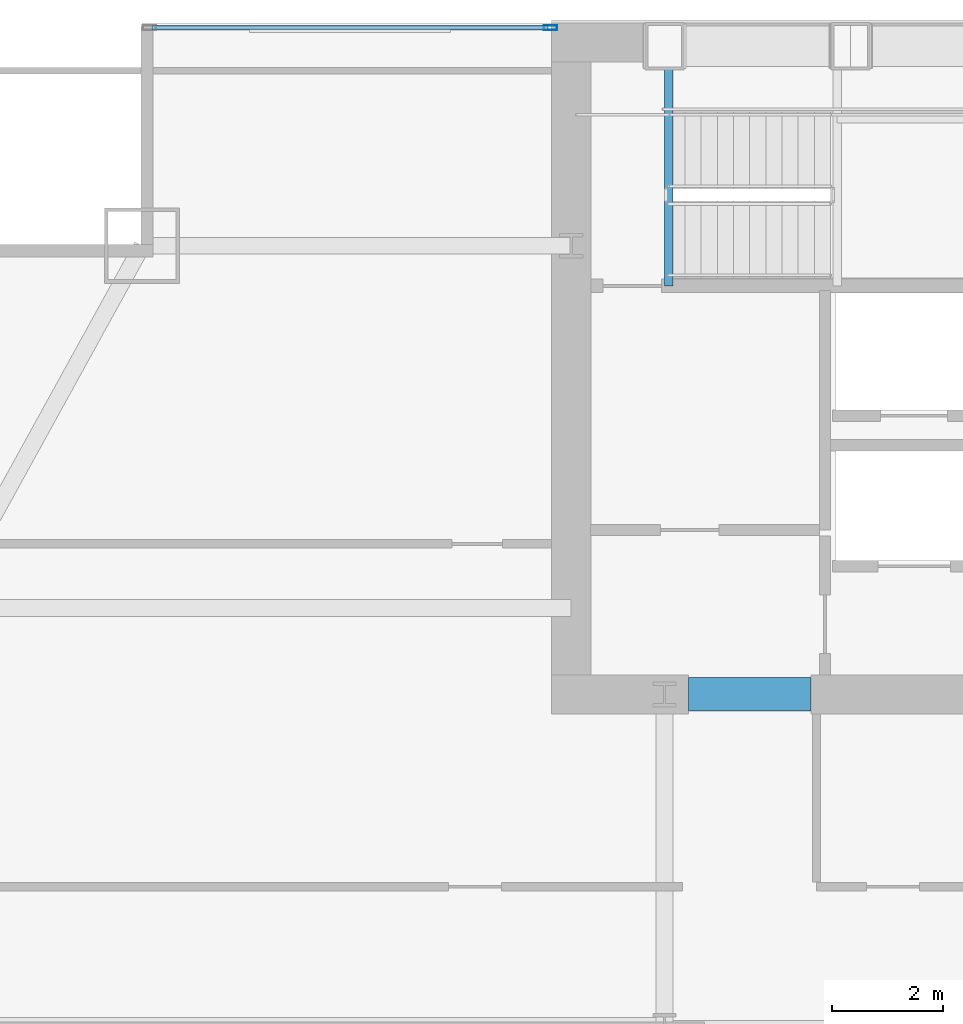
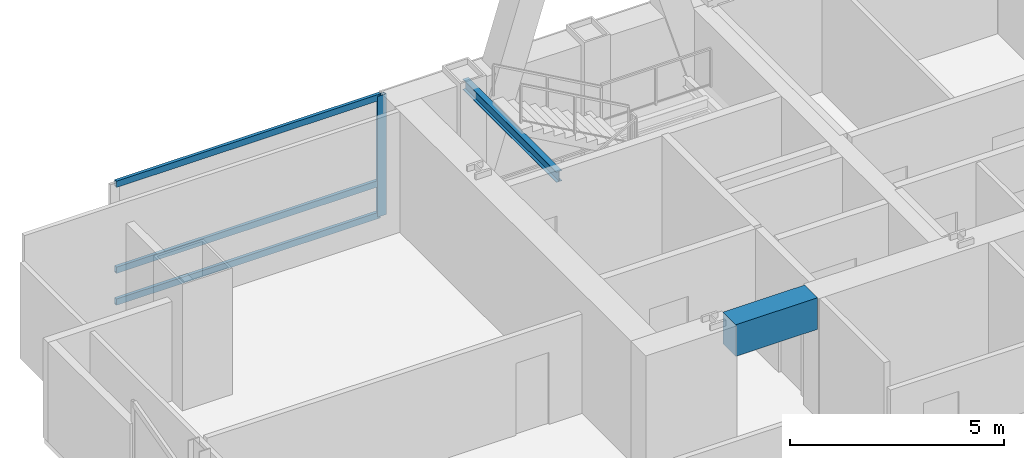
# One storey, part 18 of 30: 4 members, 2 beams, 1 element without a shape of its own.
"""IFC4 building model written with IfcOpenShell, lengths in metres."""

import ifcopenshell
import ifcopenshell.guid

model = None  # the IFC model being written
_history = None  # IfcOwnerHistory: only IFC2X3 demands one
_inside = {}  # id of a spatial element -> (the spatial element, [elements in it])
_under = {}  # id of a project, library or spatial element -> (it, [spatial elements below it])
_declared = {}  # id of a project -> (the project, [libraries it declares])
_typed = {}  # id of a type object -> (the type object, [elements of that type])
_made_of = {}  # id of a material, layer set ... -> (it, [elements and type objects made of it])


def new_model(schema):
    """Start an empty IFC model of exactly this schema.

    Asked for "IFC4X3", IfcOpenShell would pick the latest addendum, in which some entities
    have other attributes; the version numbers below select the first issue.
    IFC2X3 requires an IfcOwnerHistory on every rooted entity: one is made here for all.
    """
    global model, _history
    if schema == "IFC4X3":
        model = ifcopenshell.file(schema_version=(4, 3, 0, 0))
    else:
        model = ifcopenshell.file(schema=schema)
    _inside.clear()
    _under.clear()
    _declared.clear()
    _typed.clear()
    _made_of.clear()
    _history = None
    if model.schema == "IFC2X3":
        org = make("IfcOrganization", Name="unknown")
        user = make(
            "IfcPersonAndOrganization",
            ThePerson=make("IfcPerson", FamilyName="unknown"),
            TheOrganization=org,
        )
        app = make(
            "IfcApplication",
            ApplicationDeveloper=org,
            Version="unknown",
            ApplicationFullName="unknown",
            ApplicationIdentifier="unknown",
        )
        _history = make(
            "IfcOwnerHistory",
            OwningUser=user,
            OwningApplication=app,
            ChangeAction="ADDED",
            CreationDate=0,
        )
    return model


def make(cls, **values):
    """One entity of the class cls with the attributes given. An attribute that is None is left unset."""
    return model.create_entity(
        cls, **{name: value for name, value in values.items() if value is not None}
    )


def rooted(cls, **values):
    """An entity with a GlobalId (a new one), such as an element, a storey or a relation."""
    return make(cls, GlobalId=ifcopenshell.guid.new(), OwnerHistory=_history, **values)


def si_unit(unit_type, name, prefix=None):
    """IfcSIUnit, for example si_unit("LENGTHUNIT", "METRE", prefix="MILLI")."""
    return make("IfcSIUnit", UnitType=unit_type, Prefix=prefix, Name=name)


def assignment(units):
    """IfcUnitAssignment: the units of a project."""
    return None if units is None else make("IfcUnitAssignment", Units=units)


def point(xyz):
    """IfcCartesianPoint."""
    return None if xyz is None else make("IfcCartesianPoint", Coordinates=xyz)


def direction(xyz):
    """IfcDirection."""
    return None if xyz is None else make("IfcDirection", DirectionRatios=xyz)


def frame(location, z_axis=None, x_axis=None):
    """IfcAxis2Placement3D, a coordinate frame: its origin and axes. An axis left out is left unset."""
    return make(
        "IfcAxis2Placement3D",
        Location=point(location),
        Axis=direction(z_axis),
        RefDirection=direction(x_axis),
    )


def frame_2d(location, x_axis=None):
    """IfcAxis2Placement2D, a coordinate frame in the plane: its origin and x axis."""
    return make(
        "IfcAxis2Placement2D", Location=point(location), RefDirection=direction(x_axis)
    )


def origin():
    """The frame at (0, 0, 0) with its axes left unset."""
    return frame((0.0, 0.0, 0.0))


def origin_2d():
    """The frame at (0, 0) in the plane with its x axis left unset."""
    return frame_2d((0.0, 0.0))


def place(relative_to, where):
    """IfcLocalPlacement: puts the frame where relative to a parent placement (None: the world)."""
    return make(
        "IfcLocalPlacement", PlacementRelTo=relative_to, RelativePlacement=where
    )


def context(
    kind, dimensions, precision=None, world=None, true_north=None, identifier=None
):
    """IfcGeometricRepresentationContext, for example the 3D "Model" context."""
    return make(
        "IfcGeometricRepresentationContext",
        ContextIdentifier=identifier,
        ContextType=kind,
        CoordinateSpaceDimension=dimensions,
        Precision=precision,
        WorldCoordinateSystem=world,
        TrueNorth=true_north,
    )


def subcontext(parent, identifier, kind, view, scale=None):
    """IfcGeometricRepresentationSubContext, for example "Body" below "Model"."""
    return make(
        "IfcGeometricRepresentationSubContext",
        ContextIdentifier=identifier,
        ContextType=kind,
        ParentContext=parent,
        TargetScale=scale,
        TargetView=view,
    )


def project(units=None, contexts=None):
    """IfcProject with its units and contexts."""
    return rooted(
        "IfcProject",
        Name="project",
        RepresentationContexts=contexts,
        UnitsInContext=assignment(units),
    )


def spatial(cls, under=None, at=None, **own):
    """A site, building, storey or space (cls), placed at a placement, below another one or the project."""
    s = rooted(cls, ObjectPlacement=at, **own)
    if under is not None:
        _under.setdefault(under.id(), (under, []))[1].append(s)
    return s


def profile(cls, at=None, kind="AREA", **sizes):
    """A parametric profile (cls). Its sizes go by their IFC names, for example OverallWidth=200.0."""
    return make(cls, ProfileType=kind, Position=at, **sizes)


def rectangle(**sizes):
    """IfcRectangleProfileDef."""
    return profile("IfcRectangleProfileDef", **sizes)


def hollow_rectangle(**sizes):
    """IfcRectangleHollowProfileDef."""
    return profile("IfcRectangleHollowProfileDef", **sizes)


def i_section(**sizes):
    """IfcIShapeProfileDef."""
    return profile("IfcIShapeProfileDef", **sizes)


def extrude(swept, where, along, depth):
    """IfcExtrudedAreaSolid: the profile swept, set in the frame where, extruded along a direction by depth."""
    return make(
        "IfcExtrudedAreaSolid",
        SweptArea=swept,
        Position=where,
        ExtrudedDirection=direction(along),
        Depth=depth,
    )


def shape(context_of_items, identifier, shape_type, items):
    """IfcShapeRepresentation: the items that make up one representation, for example the "Body"."""
    return make(
        "IfcShapeRepresentation",
        ContextOfItems=context_of_items,
        RepresentationIdentifier=identifier,
        RepresentationType=shape_type,
        Items=items,
    )


def material(Name=None, Category=None):
    """IfcMaterial."""
    return make("IfcMaterial", Name=Name, Category=Category)


def material_profile(
    of_material, cross_section, Name=None, Category=None, Priority=None
):
    """IfcMaterialProfile: a cross section and its material."""
    return make(
        "IfcMaterialProfile",
        Name=Name,
        Material=of_material,
        Profile=cross_section,
        Priority=Priority,
        Category=Category,
    )


def profile_set(profiles, Name=None, composite=None):
    """IfcMaterialProfileSet."""
    return make(
        "IfcMaterialProfileSet",
        Name=Name,
        MaterialProfiles=profiles,
        CompositeProfile=composite,
    )


def made_of(thing, what):
    """Note that an element or type object is made of a material, layer set ...; save() writes the relation."""
    if what is not None:
        _made_of.setdefault(what.id(), (what, []))[1].append(thing)
    return thing


def type_object(cls, material=None, **own):
    """A type object (cls), such as IfcWallType, which elements share."""
    return made_of(rooted(cls, **own), material)


def element(
    cls,
    number,
    at=None,
    inside=None,
    cuts=None,
    type_object=None,
    material=None,
    context=None,
    identifier="Body",
    shape_type=None,
    held_by="IfcProductDefinitionShape",
    body=None,
    shapes=None,
    **own,
):
    """One element of the class cls, such as IfcWall. Its Tag is "e" and its number.

    at: its placement. inside: the storey or other place that contains it. cuts: it is an
    opening in that element (IfcRelVoidsElement). A single representation is given by context,
    identifier, shape_type and body (its items); several are given by shapes. held_by: the class
    of the entity that holds the representations. save() writes the other relations.
    """
    e = rooted(cls, Tag="e%d" % number, ObjectPlacement=at, **own)
    if body is not None:
        shapes = [shape(context, identifier, shape_type, body)]
    if shapes is not None:
        e.Representation = make(held_by, Representations=shapes)
    if inside is not None:
        _inside.setdefault(inside.id(), (inside, []))[1].append(e)
    if cuts is not None:
        rooted(
            "IfcRelVoidsElement", RelatingBuildingElement=cuts, RelatedOpeningElement=e
        )
    if type_object is not None:
        _typed.setdefault(type_object.id(), (type_object, []))[1].append(e)
    return made_of(e, material)


def aggregate(whole, parts):
    """IfcRelAggregates: a whole, such as a stair, and the parts it consists of."""
    return rooted("IfcRelAggregates", RelatingObject=whole, RelatedObjects=parts)


def save(model, path):
    """Write the relations noted so far, then the file.

    IfcRelAggregates (storeys below a building ...), IfcRelContainedInSpatialStructure (elements
    in a storey), IfcRelDefinesByType, IfcRelAssociatesMaterial and IfcRelDeclares: one each for
    every whole, place, type object, material and project.
    """
    for whole, parts in _under.values():
        aggregate(whole, parts)
    for where, things in _inside.values():
        rooted(
            "IfcRelContainedInSpatialStructure",
            RelatedElements=things,
            RelatingStructure=where,
        )
    for kind, things in _typed.values():
        rooted("IfcRelDefinesByType", RelatedObjects=things, RelatingType=kind)
    for what, things in _made_of.values():
        rooted("IfcRelAssociatesMaterial", RelatedObjects=things, RelatingMaterial=what)
    for by, libraries in _declared.values():
        rooted("IfcRelDeclares", RelatingContext=by, RelatedDefinitions=libraries)
    model.write(path)


model = new_model("IFC4")

# Units and contexts
model_context = context("Model", 3, precision=1e-05, world=origin(), true_north=direction((0.0, 1.0)))
body_context = subcontext(model_context, "Body", "Model", "MODEL_VIEW")
ifc_project = project(units=[si_unit("LENGTHUNIT", "METRE"), si_unit("AREAUNIT", "SQUARE_METRE"), si_unit("VOLUMEUNIT", "CUBIC_METRE"), si_unit("PLANEANGLEUNIT", "RADIAN"), si_unit("MASSUNIT", "GRAM", prefix="KILO")], contexts=[model_context])

# Site, building, storey
site_placement = place(None, origin())
site = spatial("IfcSite", under=ifc_project, at=site_placement, CompositionType="ELEMENT")
building_placement = place(site_placement, origin())
building = spatial("IfcBuilding", under=site, at=building_placement, Name="Khoronbel Lancet Exchange", CompositionType="ELEMENT")
storey_placement = place(building_placement, frame((0.0, 0.0, 147.0)))
storey = spatial("IfcBuildingStorey", under=building, at=storey_placement, Name="L36", CompositionType="ELEMENT", Elevation=147.0)

# Beams
ifc_material_1 = material(Name="Steel S355", Category="steel")
ifc_material_profile_1 = material_profile(ifc_material_1, i_section(OverallWidth=0.14990234375, OverallDepth=0.300048828125, WebThickness=0.007080078125, FlangeThickness=0.0107421875, at=origin_2d()), Name="IPE 300")
ifc_profile_set_1 = profile_set([ifc_material_profile_1], Name="Steel S355")
beam_type_1 = type_object("IfcBeamType", Name="BM-BJ8", PredefinedType="JOIST", material=ifc_profile_set_1)
beam_1_placement = place(storey_placement, frame((18.300048828125, 48.97998046875, 3.159912109375), z_axis=(0.0, 1.0, 0.0), x_axis=(-1.0, 0.0, 0.0)))
element("IfcBeam", 1, at=beam_1_placement, inside=storey, type_object=beam_type_1, Name="Level L36 stair ST1 upper-flight arrival trimmer beam", PredefinedType="JOIST", context=body_context, shape_type="SweptSolid", body=[
    extrude(i_section(OverallWidth=0.14990234375, OverallDepth=0.300048828125, WebThickness=0.007080078125, FlangeThickness=0.0107421875, at=origin_2d()), origin(), (0.0, 0.0, 1.0), 4.3701171875),
])
ifc_material_2 = material(Name="Concrete C80/95", Category="concrete")
ifc_material_profile_2 = material_profile(ifc_material_2, rectangle(XDim=0.60009765625, YDim=0.89990234375, at=origin_2d()), Name="RC 600x900")
ifc_profile_set_2 = profile_set([ifc_material_profile_2], Name="Concrete C80/95")
beam_type_2 = type_object("IfcBeamType", Name="BM-BL1", PredefinedType="LINTEL", material=ifc_profile_set_2)
beam_2_placement = place(storey_placement, frame((18.64990234375, 41.64990234375, 2.989990234375), z_axis=(1.0, 0.0, 0.0), x_axis=(0.0, 1.0, 0.0)))
element("IfcBeam", 2, at=beam_2_placement, inside=storey, type_object=beam_type_2, Name="Level L36 rear core coupling lintel L1", PredefinedType="LINTEL", context=body_context, shape_type="SweptSolid", body=[
    extrude(rectangle(XDim=0.60009765625, YDim=0.89990234375, at=origin_2d()), origin(), (0.0, 0.0, 1.0), 2.2001953125),
])

# Curtain wall, members
ifc_material_3 = material(Name="Low-E Solar Control Insulating Glass", Category="glass")
curtain_wall_type = type_object("IfcCurtainWallType", Name="CW-3", PredefinedType="NOTDEFINED", material=ifc_material_3)
curtain_wall_placement = place(storey_placement, origin())
curtain_wall = element("IfcCurtainWall", 3, at=curtain_wall_placement, inside=storey, type_object=curtain_wall_type, Name="Unitised curtain wall CW-L36-NWFLK", PredefinedType="NOTDEFINED")
ifc_material_4 = material(Name="Bronze-Anodised Aluminium 6063-T6", Category="aluminium")
ifc_material_profile_3 = material_profile(ifc_material_4, hollow_rectangle(XDim=0.0849609375, YDim=0.239990234375, WallThickness=0.006103515625, at=origin_2d()), Name="ALU MULLION 85x240")
ifc_profile_set_3 = profile_set([ifc_material_profile_3], Name="Bronze-Anodised Aluminium 6063-T6")
member_type_1 = type_object("IfcMemberType", Name="MEM-CWM1", PredefinedType="MULLION", material=ifc_profile_set_3)
member_1_placement = place(storey_placement, frame((16.177490234375, 53.610107421875, 0.0), z_axis=(0.0, 0.0, 1.0), x_axis=(0.0, -1.0, 0.0)))
member_1 = element("IfcMember", 4, at=member_1_placement, type_object=member_type_1, Name="CW3 mullion 1", PredefinedType="MULLION", context=body_context, shape_type="SweptSolid", body=[
    extrude(hollow_rectangle(XDim=0.0849609375, YDim=0.239990234375, WallThickness=0.006103515625, at=origin_2d()), origin(), (0.0, 0.0, 1.0), 3.43994140625),
])
ifc_material_profile_4 = material_profile(ifc_material_4, hollow_rectangle(XDim=0.0849609375, YDim=0.179931640625, WallThickness=0.0048828125, at=origin_2d()), Name="ALU TRANSOM 85x180")
ifc_profile_set_4 = profile_set([ifc_material_profile_4], Name="Bronze-Anodised Aluminium 6063-T6")
member_type_2 = type_object("IfcMemberType", Name="MEM-CWT1", PredefinedType="USERDEFINED", material=ifc_profile_set_4)
member_2_placement = place(storey_placement, frame((16.135009765625, 53.610107421875, 0.04248046875), z_axis=(-1.0, 0.0, 0.0), x_axis=(0.0, -1.0, 0.0)))
member_2 = element("IfcMember", 5, at=member_2_placement, type_object=member_type_2, Name="CW3 transom 1.1", ObjectType="TRANSOM", PredefinedType="USERDEFINED", context=body_context, shape_type="SweptSolid", body=[
    extrude(hollow_rectangle(XDim=0.0849609375, YDim=0.179931640625, WallThickness=0.0048828125, at=origin_2d()), origin(), (0.0, 0.0, 1.0), 7.110107421875),
])
member_3_placement = place(storey_placement, frame((16.135009765625, 53.610107421875, 0.949951171875), z_axis=(-1.0, 0.0, 0.0), x_axis=(0.0, -1.0, 0.0)))
member_3 = element("IfcMember", 6, at=member_3_placement, type_object=member_type_2, Name="CW3 transom 1.2", ObjectType="TRANSOM", PredefinedType="USERDEFINED", context=body_context, shape_type="SweptSolid", body=[
    extrude(hollow_rectangle(XDim=0.0849609375, YDim=0.179931640625, WallThickness=0.0048828125, at=origin_2d()), origin(), (0.0, 0.0, 1.0), 7.110107421875),
])
member_4_placement = place(storey_placement, frame((16.135009765625, 53.610107421875, 3.3974609375), z_axis=(-1.0, 0.0, 0.0), x_axis=(0.0, -1.0, 0.0)))
member_4 = element("IfcMember", 7, at=member_4_placement, type_object=member_type_2, Name="CW3 transom 1.3", ObjectType="TRANSOM", PredefinedType="USERDEFINED", context=body_context, shape_type="SweptSolid", body=[
    extrude(hollow_rectangle(XDim=0.0849609375, YDim=0.179931640625, WallThickness=0.0048828125, at=origin_2d()), origin(), (0.0, 0.0, 1.0), 7.110107421875),
])
aggregate(curtain_wall, [member_1, member_2, member_3, member_4])

save(model, "model.ifc")
